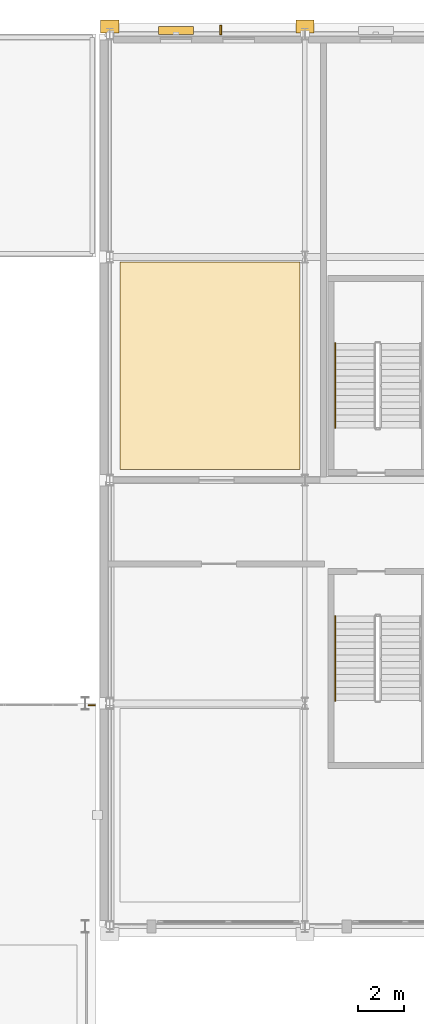
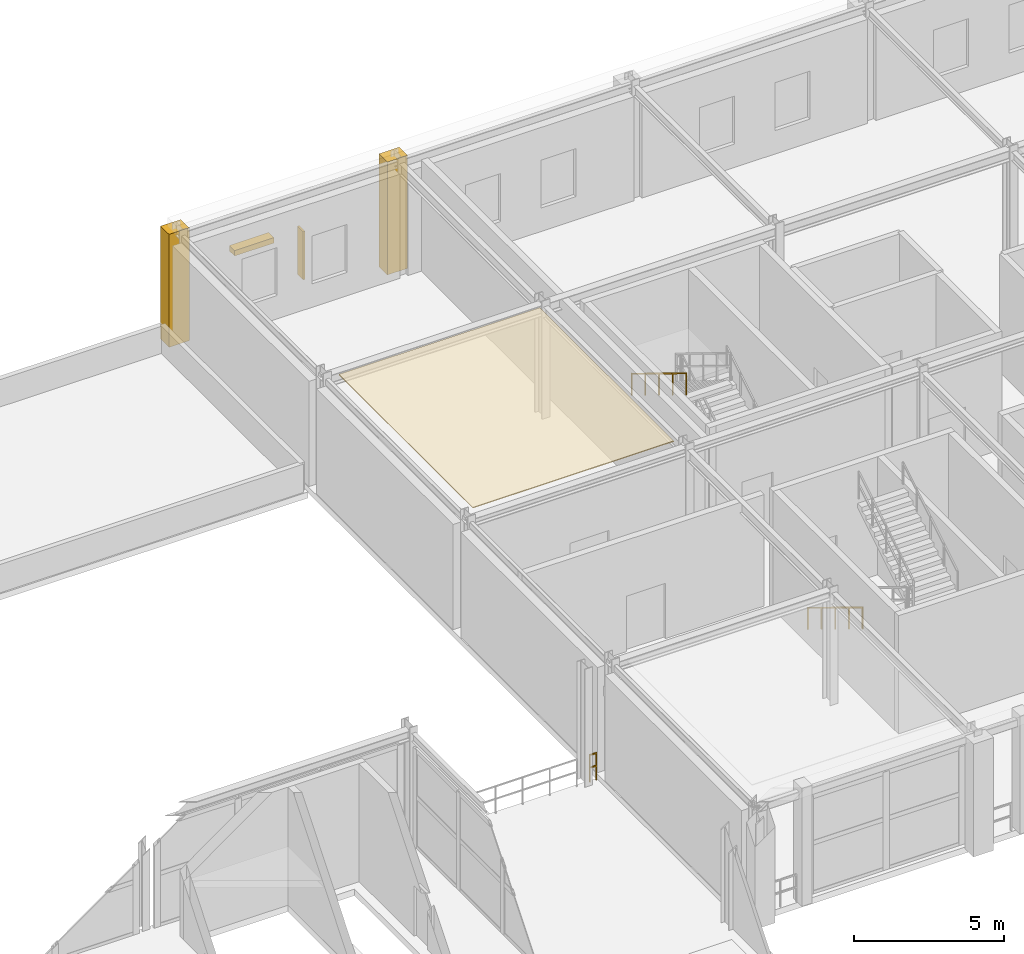
# One storey, part 109 of 125: 3 coverings, 3 railings, 2 shading devices.
"""IFC4 building model written with IfcOpenShell, lengths in metres."""

import ifcopenshell
import ifcopenshell.guid

model = None  # the IFC model being written
_history = None  # IfcOwnerHistory: only IFC2X3 demands one
_inside = {}  # id of a spatial element -> (the spatial element, [elements in it])
_under = {}  # id of a project, library or spatial element -> (it, [spatial elements below it])
_declared = {}  # id of a project -> (the project, [libraries it declares])
_typed = {}  # id of a type object -> (the type object, [elements of that type])
_made_of = {}  # id of a material, layer set ... -> (it, [elements and type objects made of it])


def new_model(schema):
    """Start an empty IFC model of exactly this schema.

    Asked for "IFC4X3", IfcOpenShell would pick the latest addendum, in which some entities
    have other attributes; the version numbers below select the first issue.
    IFC2X3 requires an IfcOwnerHistory on every rooted entity: one is made here for all.
    """
    global model, _history
    if schema == "IFC4X3":
        model = ifcopenshell.file(schema_version=(4, 3, 0, 0))
    else:
        model = ifcopenshell.file(schema=schema)
    _inside.clear()
    _under.clear()
    _declared.clear()
    _typed.clear()
    _made_of.clear()
    _history = None
    if model.schema == "IFC2X3":
        org = make("IfcOrganization", Name="unknown")
        user = make(
            "IfcPersonAndOrganization",
            ThePerson=make("IfcPerson", FamilyName="unknown"),
            TheOrganization=org,
        )
        app = make(
            "IfcApplication",
            ApplicationDeveloper=org,
            Version="unknown",
            ApplicationFullName="unknown",
            ApplicationIdentifier="unknown",
        )
        _history = make(
            "IfcOwnerHistory",
            OwningUser=user,
            OwningApplication=app,
            ChangeAction="ADDED",
            CreationDate=0,
        )
    return model


def make(cls, **values):
    """One entity of the class cls with the attributes given. An attribute that is None is left unset."""
    return model.create_entity(
        cls, **{name: value for name, value in values.items() if value is not None}
    )


def rooted(cls, **values):
    """An entity with a GlobalId (a new one), such as an element, a storey or a relation."""
    return make(cls, GlobalId=ifcopenshell.guid.new(), OwnerHistory=_history, **values)


def si_unit(unit_type, name, prefix=None):
    """IfcSIUnit, for example si_unit("LENGTHUNIT", "METRE", prefix="MILLI")."""
    return make("IfcSIUnit", UnitType=unit_type, Prefix=prefix, Name=name)


def assignment(units):
    """IfcUnitAssignment: the units of a project."""
    return None if units is None else make("IfcUnitAssignment", Units=units)


def point(xyz):
    """IfcCartesianPoint."""
    return None if xyz is None else make("IfcCartesianPoint", Coordinates=xyz)


def direction(xyz):
    """IfcDirection."""
    return None if xyz is None else make("IfcDirection", DirectionRatios=xyz)


def frame(location, z_axis=None, x_axis=None):
    """IfcAxis2Placement3D, a coordinate frame: its origin and axes. An axis left out is left unset."""
    return make(
        "IfcAxis2Placement3D",
        Location=point(location),
        Axis=direction(z_axis),
        RefDirection=direction(x_axis),
    )


def frame_2d(location, x_axis=None):
    """IfcAxis2Placement2D, a coordinate frame in the plane: its origin and x axis."""
    return make(
        "IfcAxis2Placement2D", Location=point(location), RefDirection=direction(x_axis)
    )


def origin():
    """The frame at (0, 0, 0) with its axes left unset."""
    return frame((0.0, 0.0, 0.0))


def origin_2d():
    """The frame at (0, 0) in the plane with its x axis left unset."""
    return frame_2d((0.0, 0.0))


def place(relative_to, where):
    """IfcLocalPlacement: puts the frame where relative to a parent placement (None: the world)."""
    return make(
        "IfcLocalPlacement", PlacementRelTo=relative_to, RelativePlacement=where
    )


def context(
    kind, dimensions, precision=None, world=None, true_north=None, identifier=None
):
    """IfcGeometricRepresentationContext, for example the 3D "Model" context."""
    return make(
        "IfcGeometricRepresentationContext",
        ContextIdentifier=identifier,
        ContextType=kind,
        CoordinateSpaceDimension=dimensions,
        Precision=precision,
        WorldCoordinateSystem=world,
        TrueNorth=true_north,
    )


def subcontext(parent, identifier, kind, view, scale=None):
    """IfcGeometricRepresentationSubContext, for example "Body" below "Model"."""
    return make(
        "IfcGeometricRepresentationSubContext",
        ContextIdentifier=identifier,
        ContextType=kind,
        ParentContext=parent,
        TargetScale=scale,
        TargetView=view,
    )


def project(units=None, contexts=None):
    """IfcProject with its units and contexts."""
    return rooted(
        "IfcProject",
        Name="project",
        RepresentationContexts=contexts,
        UnitsInContext=assignment(units),
    )


def spatial(cls, under=None, at=None, **own):
    """A site, building, storey or space (cls), placed at a placement, below another one or the project."""
    s = rooted(cls, ObjectPlacement=at, **own)
    if under is not None:
        _under.setdefault(under.id(), (under, []))[1].append(s)
    return s


def polyline(points):
    """IfcPolyline through the points."""
    return make("IfcPolyline", Points=[point(p) for p in points])


def profile(cls, at=None, kind="AREA", **sizes):
    """A parametric profile (cls). Its sizes go by their IFC names, for example OverallWidth=200.0."""
    return make(cls, ProfileType=kind, Position=at, **sizes)


def rectangle(**sizes):
    """IfcRectangleProfileDef."""
    return profile("IfcRectangleProfileDef", **sizes)


def outline(outer, holes=None, kind="AREA"):
    """IfcArbitraryClosedProfileDef: a profile drawn as a closed curve; with holes, ...WithVoids."""
    if holes is None:
        return make("IfcArbitraryClosedProfileDef", ProfileType=kind, OuterCurve=outer)
    return make(
        "IfcArbitraryProfileDefWithVoids",
        ProfileType=kind,
        OuterCurve=outer,
        InnerCurves=holes,
    )


def extrude(swept, where, along, depth):
    """IfcExtrudedAreaSolid: the profile swept, set in the frame where, extruded along a direction by depth."""
    return make(
        "IfcExtrudedAreaSolid",
        SweptArea=swept,
        Position=where,
        ExtrudedDirection=direction(along),
        Depth=depth,
    )


def shape(context_of_items, identifier, shape_type, items):
    """IfcShapeRepresentation: the items that make up one representation, for example the "Body"."""
    return make(
        "IfcShapeRepresentation",
        ContextOfItems=context_of_items,
        RepresentationIdentifier=identifier,
        RepresentationType=shape_type,
        Items=items,
    )


def material(Name=None, Category=None):
    """IfcMaterial."""
    return make("IfcMaterial", Name=Name, Category=Category)


def layer(
    of_material, thickness, ventilated=None, Name=None, Category=None, Priority=None
):
    """IfcMaterialLayer: one layer of a wall or slab, of a material (None: an air gap)."""
    return make(
        "IfcMaterialLayer",
        Material=of_material,
        LayerThickness=thickness,
        IsVentilated=ventilated,
        Name=Name,
        Category=Category,
        Priority=Priority,
    )


def layer_set(layers, Name=None):
    """IfcMaterialLayerSet."""
    return make("IfcMaterialLayerSet", MaterialLayers=layers, LayerSetName=Name)


def made_of(thing, what):
    """Note that an element or type object is made of a material, layer set ...; save() writes the relation."""
    if what is not None:
        _made_of.setdefault(what.id(), (what, []))[1].append(thing)
    return thing


def type_object(cls, material=None, **own):
    """A type object (cls), such as IfcWallType, which elements share."""
    return made_of(rooted(cls, **own), material)


def element(
    cls,
    number,
    at=None,
    inside=None,
    cuts=None,
    type_object=None,
    material=None,
    context=None,
    identifier="Body",
    shape_type=None,
    held_by="IfcProductDefinitionShape",
    body=None,
    shapes=None,
    **own,
):
    """One element of the class cls, such as IfcWall. Its Tag is "e" and its number.

    at: its placement. inside: the storey or other place that contains it. cuts: it is an
    opening in that element (IfcRelVoidsElement). A single representation is given by context,
    identifier, shape_type and body (its items); several are given by shapes. held_by: the class
    of the entity that holds the representations. save() writes the other relations.
    """
    e = rooted(cls, Tag="e%d" % number, ObjectPlacement=at, **own)
    if body is not None:
        shapes = [shape(context, identifier, shape_type, body)]
    if shapes is not None:
        e.Representation = make(held_by, Representations=shapes)
    if inside is not None:
        _inside.setdefault(inside.id(), (inside, []))[1].append(e)
    if cuts is not None:
        rooted(
            "IfcRelVoidsElement", RelatingBuildingElement=cuts, RelatedOpeningElement=e
        )
    if type_object is not None:
        _typed.setdefault(type_object.id(), (type_object, []))[1].append(e)
    return made_of(e, material)


def aggregate(whole, parts):
    """IfcRelAggregates: a whole, such as a stair, and the parts it consists of."""
    return rooted("IfcRelAggregates", RelatingObject=whole, RelatedObjects=parts)


def save(model, path):
    """Write the relations noted so far, then the file.

    IfcRelAggregates (storeys below a building ...), IfcRelContainedInSpatialStructure (elements
    in a storey), IfcRelDefinesByType, IfcRelAssociatesMaterial and IfcRelDeclares: one each for
    every whole, place, type object, material and project.
    """
    for whole, parts in _under.values():
        aggregate(whole, parts)
    for where, things in _inside.values():
        rooted(
            "IfcRelContainedInSpatialStructure",
            RelatedElements=things,
            RelatingStructure=where,
        )
    for kind, things in _typed.values():
        rooted("IfcRelDefinesByType", RelatedObjects=things, RelatingType=kind)
    for what, things in _made_of.values():
        rooted("IfcRelAssociatesMaterial", RelatedObjects=things, RelatingMaterial=what)
    for by, libraries in _declared.values():
        rooted("IfcRelDeclares", RelatingContext=by, RelatedDefinitions=libraries)
    model.write(path)


model = new_model("IFC4")

# Units and contexts
model_context = context("Model", 3, precision=1e-05, world=origin(), true_north=direction((0.0, 1.0)))
body_context = subcontext(model_context, "Body", "Model", "MODEL_VIEW")
ifc_project = project(units=[si_unit("LENGTHUNIT", "METRE"), si_unit("AREAUNIT", "SQUARE_METRE"), si_unit("VOLUMEUNIT", "CUBIC_METRE"), si_unit("PLANEANGLEUNIT", "RADIAN"), si_unit("MASSUNIT", "GRAM", prefix="KILO")], contexts=[model_context])

# Site, building, storey
site_placement = place(None, origin())
site = spatial("IfcSite", under=ifc_project, at=site_placement, CompositionType="ELEMENT")
building_placement = place(site_placement, origin())
building = spatial("IfcBuilding", under=site, at=building_placement, Name="Myrtia Square Station", CompositionType="ELEMENT")
storey_placement = place(building_placement, frame((0.0, 0.0, 6.0)))
storey = spatial("IfcBuildingStorey", under=building, at=storey_placement, Name="L01", CompositionType="ELEMENT", Elevation=6.0)

# Coverings
ifc_material_1 = material(Name="Pentelic marble ashlar", Category="masonry")
ifc_layer_1 = layer(ifc_material_1, 0.4599609375, Name="Pentelic marble ashlar")
ifc_layer_set_1 = layer_set([ifc_layer_1], Name="Pentelic marble ashlar")
covering_type_1 = type_object("IfcCoveringType", Name="COV-ARCH-ASHLAR", PredefinedType="CLADDING", material=ifc_layer_set_1)
for number, where, z_axis, x_axis, name in (
    (1, (117.60009765625, 125.1201171875, -0.0400390625), (0.0, 0.0, 1.0), (1.0, 0.0, 0.0), "Classical Pentelic ashlar pilaster 057"),
    (2, (126.0, 125.1201171875, -0.0400390625), (0.0, 0.0, 1.0), (1.0, 0.0, 0.0), "Classical Pentelic ashlar pilaster 063"),
):
    element("IfcCovering", number, at=place(storey_placement, frame(where, z_axis=z_axis, x_axis=x_axis)), inside=storey, type_object=covering_type_1, Name=name, PredefinedType="CLADDING", context=body_context, shape_type="SweptSolid", body=[
        extrude(rectangle(XDim=0.780029296875, YDim=0.56005859375, at=origin_2d()), origin(), (0.0, 0.0, 1.0), 4.590087890625),
    ])
ifc_material_2 = material(Name="Gypsum plasterboard")
ifc_layer_2 = layer(ifc_material_2, 0.034912109375, Name="Gypsum plasterboard")
ifc_layer_set_2 = layer_set([ifc_layer_2], Name="Gypsum plasterboard")
covering_type_2 = type_object("IfcCoveringType", Name="COV-CEIL-ACOUSTIC", PredefinedType="CEILING", material=ifc_layer_set_2)
covering_placement = place(storey_placement, frame((0.0, 0.0, 4.514892578125)))
element("IfcCovering", 3, at=covering_placement, inside=storey, type_object=covering_type_2, Name="Acoustic coffer ceiling L01-19", PredefinedType="CEILING", context=body_context, shape_type="SweptSolid", body=[
    extrude(outline(polyline([(118.050048828125, 106.050048828125), (118.050048828125, 114.97998046875), (125.780029296875, 114.97998046875), (125.780029296875, 106.050048828125), (118.050048828125, 106.050048828125)])), origin(), (0.0, 0.0, 1.0), 0.03515625),
])

# Railings
ifc_material_3 = material(Name="Dark bronze anodised aluminium", Category="aluminium")
railing_type_1 = type_object("IfcRailingType", Name="RL-HANDRAIL-900", PredefinedType="HANDRAIL", material=ifc_material_3)
for number, where, name in (
    (4, (127.300048828125, 111.489990234375, 2.571533203125), "L01 ST07 stair handrail 2"),
    (5, (127.300048828125, 99.75, 0.17138671875), "L01 ST12 stair handrail 1"),
):
    element("IfcRailing", number, at=place(storey_placement, frame(where)), inside=storey, type_object=railing_type_1, Name=name, PredefinedType="HANDRAIL", context=body_context, shape_type="SweptSolid", body=[
        extrude(rectangle(XDim=0.048095703125, YDim=0.048095703125, at=origin_2d()), frame((0.0, -0.029541015625, 0.89404296875), z_axis=(0.0, -0.852850264322, 0.5221555579), x_axis=(1.0, 0.0, 0.0)), (0.0, 0.0, 1.0), 0.997802734375),
        extrude(rectangle(XDim=0.048095703125, YDim=0.048095703125, at=origin_2d()), frame((0.0, -0.939453125, 1.451171875), z_axis=(0.0, -0.852850264322, 0.5221555579), x_axis=(1.0, 0.0, 0.0)), (0.0, 0.0, 1.0), 0.997802734375),
        extrude(rectangle(XDim=0.048095703125, YDim=0.048095703125, at=origin_2d()), frame((0.0, -1.849609375, 2.00830078125), z_axis=(0.0, -0.852850264322, 0.5221555579), x_axis=(1.0, 0.0, 0.0)), (0.0, 0.0, 1.0), 0.997802734375),
        extrude(rectangle(XDim=0.048095703125, YDim=0.048095703125, at=origin_2d()), frame((0.0, -2.759521484375, 2.5654296875), z_axis=(0.0, -0.852850264322, 0.5221555579), x_axis=(1.0, 0.0, 0.0)), (0.0, 0.0, 1.0), 0.997802734375),
        extrude(rectangle(XDim=0.0439453125, YDim=0.0439453125, at=origin_2d()), origin(), (0.0, 0.0, 1.0), 0.89990234375),
        extrude(rectangle(XDim=0.0439453125, YDim=0.0439453125, at=origin_2d()), frame((0.0, -0.909912109375, 0.55712890625)), (0.0, 0.0, 1.0), 0.89990234375),
        extrude(rectangle(XDim=0.0439453125, YDim=0.0439453125, at=origin_2d()), frame((0.0, -1.81982421875, 1.1142578125)), (0.0, 0.0, 1.0), 0.89990234375),
        extrude(rectangle(XDim=0.0439453125, YDim=0.0439453125, at=origin_2d()), frame((0.0, -2.72998046875, 1.67138671875)), (0.0, 0.0, 1.0), 0.89990234375),
        extrude(rectangle(XDim=0.0439453125, YDim=0.0439453125, at=origin_2d()), frame((0.0, -3.639892578125, 2.228515625)), (0.0, 0.0, 1.0), 0.89990234375),
    ])
ifc_material_4 = material(Name="Wrought iron", Category="steel")
railing_type_2 = type_object("IfcRailingType", Name="RL-INT-GUARD-1100", PredefinedType="BALUSTRADE", material=ifc_material_4)
railing_placement = place(storey_placement, frame((116.949951171875, 95.919921875, 0.0)))
element("IfcRailing", 6, at=railing_placement, inside=storey, type_object=railing_type_2, Name="Perimeter slab edge balustrade L01-012", PredefinedType="BALUSTRADE", context=body_context, shape_type="SweptSolid", body=[
    extrude(rectangle(XDim=0.048095703125, YDim=0.048095703125, at=origin_2d()), frame((-0.03466796875, 0.0, 1.09619140625), z_axis=(-1.0, 0.0, 0.0), x_axis=(0.0, -1.0, 0.0)), (0.0, 0.0, 1.0), 0.1806640625),
    extrude(rectangle(XDim=0.048095703125, YDim=0.048095703125, at=origin_2d()), frame((-0.03466796875, 0.0, 0.58251953125), z_axis=(-1.0, 0.0, 0.0), x_axis=(0.0, -1.0, 0.0)), (0.0, 0.0, 1.0), 0.1806640625),
    extrude(rectangle(XDim=0.0439453125, YDim=0.0439453125, at=origin_2d()), origin(), (0.0, 0.0, 1.0), 1.1201171875),
    extrude(rectangle(XDim=0.0439453125, YDim=0.0439453125, at=origin_2d()), frame((-0.25, 0.0, 0.0)), (0.0, 0.0, 1.0), 1.1201171875),
])

# Shading devices
shading_device_type_1 = type_object("IfcShadingDeviceType", Name="SHD-FIN-BRONZE", PredefinedType="USERDEFINED", material=ifc_material_3)
shading_device_1_placement = place(storey_placement, frame((122.373046875, 124.969970703125, 0.9501953125), z_axis=(0.0, 0.0, 1.0), x_axis=(1.0, 0.0, 0.0)))
element("IfcShadingDevice", 7, at=shading_device_1_placement, inside=storey, type_object=shading_device_type_1, Name="Vertical bronze solar fin SHF-043", ObjectType="FIN", PredefinedType="USERDEFINED", context=body_context, shape_type="SweptSolid", body=[
    extrude(rectangle(XDim=0.080078125, YDim=0.389892578125, at=origin_2d()), origin(), (0.0, 0.0, 1.0), 1.949951171875),
])
shading_device_type_2 = type_object("IfcShadingDeviceType", Name="SHD-JALOUSIE-BRONZE", PredefinedType="JALOUSIE", material=ifc_material_3)
shading_device_2_placement = place(storey_placement, frame((120.451904296875, 124.949951171875, 2.83984375), z_axis=(0.0, 0.0, 1.0), x_axis=(1.0, 0.0, 0.0)))
element("IfcShadingDevice", 8, at=shading_device_2_placement, inside=storey, type_object=shading_device_type_2, Name="Mediterranean bronze solar louvre SHL-043", PredefinedType="JALOUSIE", context=body_context, shape_type="SweptSolid", body=[
    extrude(rectangle(XDim=1.510009765625, YDim=0.35009765625, at=origin_2d()), origin(), (0.0, 0.0, 1.0), 0.219970703125),
])

save(model, "model.ifc")
